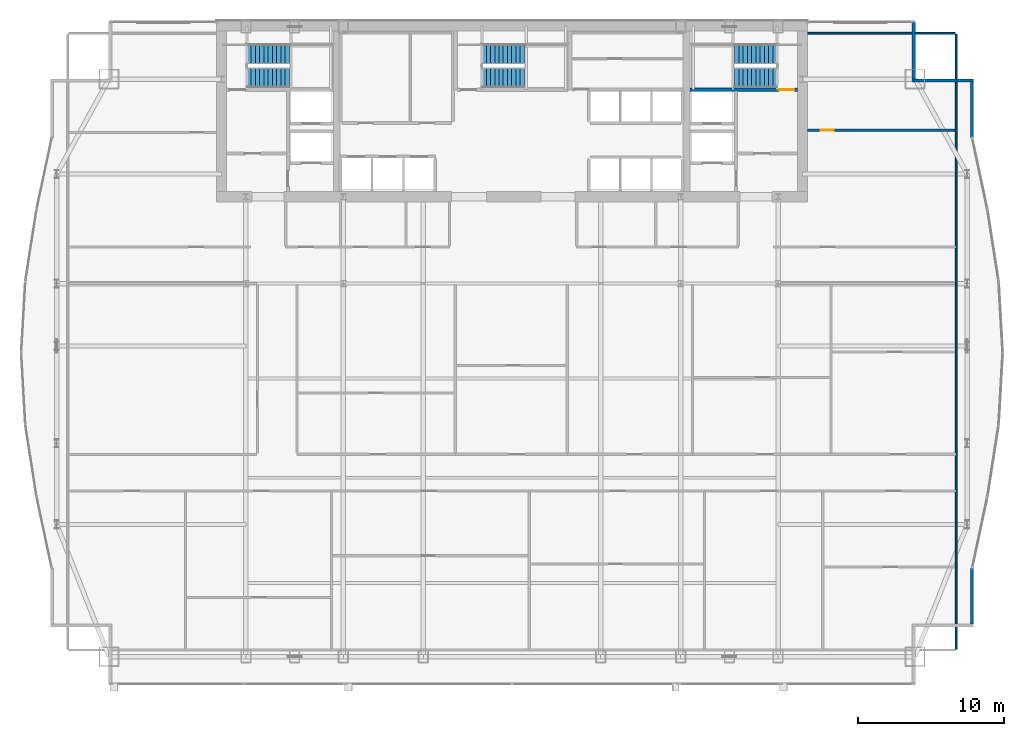
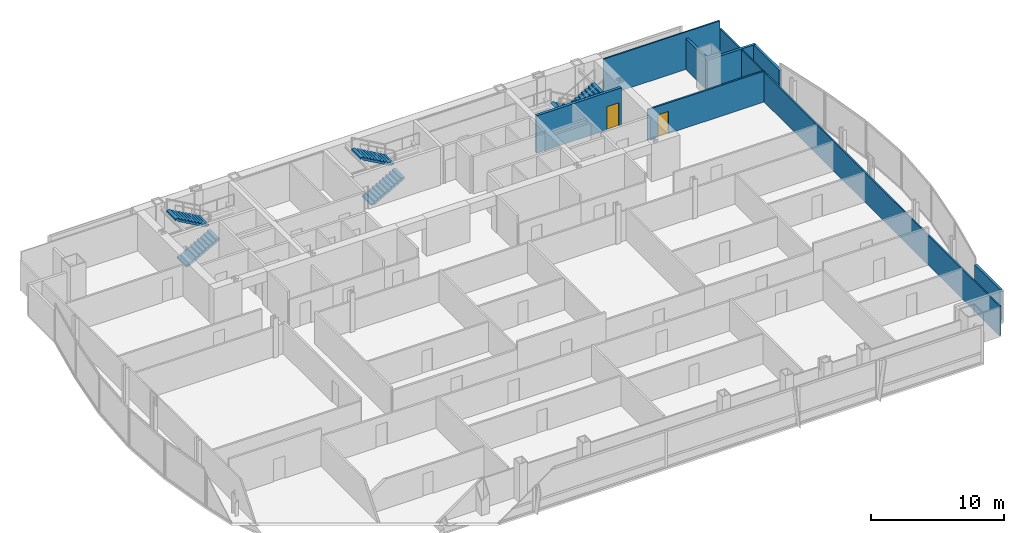
# One storey, part 27 of 29: 8 walls, 6 stair flights, 2 doors, 2 openings, 3 elements without a shape of their own.
"""IFC4 building model written with IfcOpenShell, lengths in metres."""

from ifc_helpers import new_model, si_unit, direction, frame, frame_2d, origin, place, context, subcontext, project, spatial, polyline, rectangle, outline, extrude, material, layer, layer_set, type_object, element, fill, aggregate, save


model = new_model("IFC4")

# Units and contexts
model_context = context("Model", 3, precision=1e-05, world=origin(), true_north=direction((0.0, 1.0)))
body_context = subcontext(model_context, "Body", "Model", "MODEL_VIEW")
ifc_project = project(units=[si_unit("LENGTHUNIT", "METRE"), si_unit("AREAUNIT", "SQUARE_METRE"), si_unit("VOLUMEUNIT", "CUBIC_METRE"), si_unit("PLANEANGLEUNIT", "RADIAN"), si_unit("MASSUNIT", "GRAM", prefix="KILO")], contexts=[model_context])

# Site, building, storey
site_placement = place(None, origin())
site = spatial("IfcSite", under=ifc_project, at=site_placement, CompositionType="ELEMENT")
building_placement = place(site_placement, origin())
building = spatial("IfcBuilding", under=site, at=building_placement, Name="Khoronbel Lancet Exchange", CompositionType="ELEMENT")
storey_placement = place(building_placement, frame((0.0, 0.0, 165.0)))
storey = spatial("IfcBuildingStorey", under=building, at=storey_placement, Name="L41", CompositionType="ELEMENT", Elevation=165.0)

# Walls
ifc_material_1 = material(Name="Precast concrete C40/50", Category="concrete")
ifc_layer_1 = layer(ifc_material_1, 0.25, Name="Precast concrete C40/50")
ifc_layer_set_1 = layer_set([ifc_layer_1], Name="Precast concrete C40/50")
wall_type_1 = type_object("IfcWallType", Name="WL-EXT250", PredefinedType="SOLIDWALL", material=ifc_layer_set_1)
wall_1_placement = place(storey_placement, frame((63.9599609375, 53.6298828125, 0.0), z_axis=(0.0, 0.0, 1.0), x_axis=(0.0, -1.0, 0.0)))
element("IfcWall", 1, at=wall_1_placement, inside=storey, type_object=wall_type_1, Name="Level L41 notched-corner limestone pier 14", PredefinedType="SOLIDWALL", context=body_context, shape_type="SweptSolid", body=[
    extrude(rectangle(XDim=3.909912109375, YDim=0.219970703125, at=frame_2d((1.955078125, 0.0))), origin(), (0.0, 0.0, 1.0), 2.830078125),
])
wall_2_placement = place(storey_placement, frame((63.85009765625, 49.610107421875, 0.0), z_axis=(0.0, 0.0, 1.0), x_axis=(1.0, 0.0, 0.0)))
element("IfcWall", 2, at=wall_2_placement, inside=storey, type_object=wall_type_1, Name="Level L41 notched-corner limestone pier 15", PredefinedType="SOLIDWALL", context=body_context, shape_type="SweptSolid", body=[
    extrude(rectangle(XDim=4.219970703125, YDim=0.219970703125, at=frame_2d((2.10986328125, 0.0))), origin(), (0.0, 0.0, 1.0), 2.830078125),
])
for number, where, z_axis, x_axis, name in (
    (3, (67.9599609375, 49.5, 0.0), (0.0, 0.0, 1.0), (0.0, -1.0, 0.0), "Level L41 notched-corner limestone pier 16"),
    (4, (67.9599609375, 16.2294921875, 0.0), (0.0, 0.0, 1.0), (0.0, -1.0, 0.0), "Level L41 notched-corner limestone pier 23"),
):
    element("IfcWall", number, at=place(storey_placement, frame(where, z_axis=z_axis, x_axis=x_axis)), inside=storey, type_object=wall_type_1, Name=name, PredefinedType="SOLIDWALL", context=body_context, shape_type="SweptSolid", body=[
        extrude(rectangle(XDim=3.82958984375, YDim=0.219970703125, at=frame_2d((1.914794921875, 0.0))), origin(), (0.0, 0.0, 1.0), 2.830078125),
    ])

# Wall, opening, door
ifc_material_2 = material(Name="Acoustic Metal-Stud & Mineral-Wool Gypsum Partition 120 mm", Category="gypsum")
ifc_layer_2 = layer(ifc_material_2, 0.1201171875, Name="Acoustic Metal-Stud & Mineral-Wool Gypsum Partition 120 mm")
ifc_layer_set_2 = layer_set([ifc_layer_2], Name="Acoustic Metal-Stud & Mineral-Wool Gypsum Partition 120 mm")
wall_type_2 = type_object("IfcWallType", Name="WL-PRT120", PredefinedType="PARTITIONING", material=ifc_layer_set_2)
wall_3_placement = place(storey_placement, frame((56.699951171875, 46.199951171875, 0.0), z_axis=(0.0, 0.0, 1.0), x_axis=(1.0, 0.0, 0.0)))
wall_3 = element("IfcWall", 5, at=wall_3_placement, inside=storey, type_object=wall_type_2, Name="Level L41 interior partition PW-NE-H", PredefinedType="PARTITIONING", context=body_context, shape_type="SweptSolid", body=[
    extrude(rectangle(XDim=10.10498046875, YDim=0.14990234375, at=frame_2d((5.052490234375, 0.0))), origin(), (0.0, 0.0, 1.0), 2.830078125),
])
opening_1_placement = place(wall_3_placement, frame((0.89990234375, 0.0, 0.0)))
opening_1 = element("IfcOpeningElement", 6, at=opening_1_placement, cuts=wall_3, Name="Opening D5", PredefinedType="OPENING", context=body_context, shape_type="SweptSolid", body=[
    extrude(rectangle(XDim=0.89990234375, YDim=2.050048828125, at=frame_2d((0.449951171875, 1.02490234375))), frame((0.0, 0.0849609375, 0.0), z_axis=(0.0, -1.0, 0.0), x_axis=(1.0, 0.0, 0.0)), (0.0, 0.0, 1.0), 0.169921875),
])
ifc_material_3 = material(Name="Acoustic Timber Pantry & Support Door", Category="wood")
door_type_1 = type_object("IfcDoorType", Name="DR-D5", OperationType="NOTDEFINED", PredefinedType="DOOR", material=ifc_material_3)
door_1_placement = place(opening_1_placement, origin())
door_1 = element("IfcDoor", 7, at=door_1_placement, inside=storey, type_object=door_type_1, Name="NE north room door L41-1", OperationType="SINGLE_SWING_LEFT", OverallHeight=2.050048828125, OverallWidth=0.89990234375, PredefinedType="DOOR", context=body_context, shape_type="SweptSolid", body=[
    extrude(rectangle(XDim=0.89990234375, YDim=2.050048828125, at=frame_2d((0.449951171875, 1.02490234375))), frame((0.0, 0.02490234375, 0.0), z_axis=(0.0, -1.0, 0.0), x_axis=(1.0, 0.0, 0.0)), (0.0, 0.0, 1.0), 0.050048828125),
])
fill(opening_1, door_1)

# Walls
wall_4_placement = place(storey_placement, frame((66.8701171875, 10.6650390625, 0.0), z_axis=(0.0, 0.0, 1.0), x_axis=(0.0, 1.0, 0.0)))
element("IfcWall", 8, at=wall_4_placement, inside=storey, type_object=wall_type_2, Name="Level L41 interior partition PW-LIN-E", PredefinedType="PARTITIONING", context=body_context, shape_type="SweptSolid", body=[
    extrude(rectangle(XDim=42.10986328125, YDim=0.1201171875, at=frame_2d((21.054931640625, 0.0))), origin(), (0.0, 0.0, 1.0), 2.72998046875),
])
wall_5_placement = place(storey_placement, frame((56.699951171875, 52.840087890625, 0.0), z_axis=(0.0, 0.0, 1.0), x_axis=(1.0, 0.0, 0.0)))
element("IfcWall", 9, at=wall_5_placement, inside=storey, type_object=wall_type_2, Name="Level L41 interior partition PW-LIN-NE", PredefinedType="PARTITIONING", context=body_context, shape_type="SweptSolid", body=[
    extrude(rectangle(XDim=10.10498046875, YDim=0.1201171875, at=frame_2d((5.052490234375, 0.0))), origin(), (0.0, 0.0, 1.0), 3.43994140625),
])

# Wall, opening, door
ifc_material_4 = material(Name="Concrete C60/75", Category="concrete")
ifc_layer_3 = layer(ifc_material_4, 0.260009765625, Name="Concrete C60/75")
ifc_layer_set_3 = layer_set([ifc_layer_3], Name="Concrete C60/75")
wall_type_3 = type_object("IfcWallType", Name="WL-SW3", PredefinedType="SHEAR", material=ifc_layer_set_3)
wall_6_placement = place(storey_placement, frame((48.6298828125, 48.97998046875, 0.0), z_axis=(0.0, 0.0, 1.0), x_axis=(1.0, 0.0, 0.0)))
wall_6 = element("IfcWall", 10, at=wall_6_placement, inside=storey, type_object=wall_type_3, Name="Level L41 east stairwell structural south wall", PredefinedType="SHEAR", context=body_context, shape_type="SweptSolid", body=[
    extrude(rectangle(XDim=7.3701171875, YDim=0.239990234375, at=frame_2d((3.68505859375, 0.0))), origin(), (0.0, 0.0, 1.0), 3.43994140625),
])
opening_2_placement = place(wall_6_placement, frame((6.10009765625, 0.0, 0.0)))
opening_2 = element("IfcOpeningElement", 11, at=opening_2_placement, cuts=wall_6, Name="Opening SD1", PredefinedType="OPENING", context=body_context, shape_type="SweptSolid", body=[
    extrude(rectangle(XDim=1.050048828125, YDim=2.14990234375, at=frame_2d((0.52490234375, 1.074951171875))), frame((0.0, 0.1298828125, 0.0), z_axis=(0.0, -1.0, 0.0), x_axis=(1.0, 0.0, 0.0)), (0.0, 0.0, 1.0), 0.260009765625),
])
ifc_material_5 = material(Name="Fire-Rated Steel Stairwell Door Assembly", Category="steel")
door_type_2 = type_object("IfcDoorType", Name="DR-SD1", OperationType="NOTDEFINED", PredefinedType="DOOR", material=ifc_material_5)
door_2_placement = place(opening_2_placement, origin())
door_2 = element("IfcDoor", 12, at=door_2_placement, inside=storey, type_object=door_type_2, Name="Protected exit stair ST2 door L41", OperationType="SINGLE_SWING_RIGHT", OverallHeight=2.14990234375, OverallWidth=1.050048828125, PredefinedType="DOOR", context=body_context, shape_type="SweptSolid", body=[
    extrude(rectangle(XDim=1.050048828125, YDim=2.14990234375, at=frame_2d((0.52490234375, 1.074951171875))), frame((0.0, 0.02490234375, 0.0), z_axis=(0.0, -1.0, 0.0), x_axis=(1.0, 0.0, 0.0)), (0.0, 0.0, 1.0), 0.050048828125),
])
fill(opening_2, door_2)

# Stair, stair flights
ifc_material_6 = material(Name="Concrete C40/50", Category="concrete")
stair_type = type_object("IfcStairType", Name="STR-CORE150", PredefinedType="HALF_TURN_STAIR", material=ifc_material_6)
stair_1_placement = place(storey_placement, origin())
stair_1 = element("IfcStair", 13, at=stair_1_placement, inside=storey, type_object=stair_type, Name="L41 Protected Exit Stair ST1", PredefinedType="HALF_TURN_STAIR")
stair_flight_type = type_object("IfcStairFlightType", Name="STF-150", PredefinedType="STRAIGHT", material=ifc_material_6)
stair_flight_1_placement = place(storey_placement, frame((18.300048828125, 49.81005859375, 0.0), z_axis=(0.0, 0.0, 1.0), x_axis=(1.0, 0.0, 0.0)))
stair_flight_1 = element("IfcStairFlight", 14, at=stair_flight_1_placement, type_object=stair_flight_type, Name="ST1 flight 1", NumberOfRisers=11, NumberOfTreads=10, PredefinedType="STRAIGHT", RiserHeight=0.163636364, TreadLength=0.29, context=body_context, shape_type="SweptSolid", body=[
    extrude(outline(polyline([(0.0, 0.0), (0.0, 0.16357421875), (0.2900390625, 0.16357421875), (0.2900390625, 0.327392578125), (0.580078125, 0.327392578125), (0.580078125, 0.490966796875), (0.8701171875, 0.490966796875), (0.8701171875, 0.654541015625), (1.159912109375, 0.654541015625), (1.159912109375, 0.818115234375), (1.449951171875, 0.818115234375), (1.449951171875, 0.98193359375), (1.739990234375, 0.98193359375), (1.739990234375, 1.1455078125), (2.030029296875, 1.1455078125), (2.030029296875, 1.30908203125), (2.320068359375, 1.30908203125), (2.320068359375, 1.47265625), (2.610107421875, 1.47265625), (2.610107421875, 1.636474609375), (2.89990234375, 1.636474609375), (2.89990234375, 1.800048828125), (2.89990234375, 1.46435546875), (0.304931640625, 0.0), (0.0, 0.0)])), frame((0.0, 0.68994140625, 0.0), z_axis=(0.0, -1.0, 0.0), x_axis=(1.0, 0.0, 0.0)), (0.0, 0.0, 1.0), 1.3798828125),
])
stair_flight_2_placement = place(storey_placement, frame((21.199951171875, 51.409912109375, 1.800048828125), z_axis=(0.0, 0.0, 1.0), x_axis=(-1.0, 0.0, 0.0)))
stair_flight_2 = element("IfcStairFlight", 15, at=stair_flight_2_placement, type_object=stair_flight_type, Name="ST1 flight 2", NumberOfRisers=11, NumberOfTreads=10, PredefinedType="STRAIGHT", RiserHeight=0.163636364, TreadLength=0.29, context=body_context, shape_type="SweptSolid", body=[
    extrude(outline(polyline([(0.0, 0.0), (0.0, 0.16357421875), (0.2900390625, 0.16357421875), (0.2900390625, 0.327392578125), (0.580078125, 0.327392578125), (0.580078125, 0.490966796875), (0.8701171875, 0.490966796875), (0.8701171875, 0.654541015625), (1.159912109375, 0.654541015625), (1.159912109375, 0.818115234375), (1.449951171875, 0.818115234375), (1.449951171875, 0.98193359375), (1.739990234375, 0.98193359375), (1.739990234375, 1.1455078125), (2.030029296875, 1.1455078125), (2.030029296875, 1.30908203125), (2.320068359375, 1.30908203125), (2.320068359375, 1.47265625), (2.610107421875, 1.47265625), (2.610107421875, 1.636474609375), (2.89990234375, 1.636474609375), (2.89990234375, 1.800048828125), (2.89990234375, 1.46435546875), (0.304931640625, 0.0), (0.0, 0.0)])), frame((0.0, 0.68994140625, 0.0), z_axis=(0.0, -1.0, 0.0), x_axis=(1.0, 0.0, 0.0)), (0.0, 0.0, 1.0), 1.3798828125),
])
aggregate(stair_1, [stair_flight_1, stair_flight_2])

stair_2_placement = place(storey_placement, origin())
stair_2 = element("IfcStair", 16, at=stair_2_placement, inside=storey, type_object=stair_type, Name="L41 Protected Exit Stair ST2", PredefinedType="HALF_TURN_STAIR")
stair_flight_3_placement = place(storey_placement, frame((54.60009765625, 51.409912109375, 0.0), z_axis=(0.0, 0.0, 1.0), x_axis=(-1.0, 0.0, 0.0)))
stair_flight_3 = element("IfcStairFlight", 17, at=stair_flight_3_placement, type_object=stair_flight_type, Name="ST2 flight 1", NumberOfRisers=11, NumberOfTreads=10, PredefinedType="STRAIGHT", RiserHeight=0.163636364, TreadLength=0.29, context=body_context, shape_type="SweptSolid", body=[
    extrude(outline(polyline([(0.0, 0.0), (0.0, 0.16357421875), (0.2900390625, 0.16357421875), (0.2900390625, 0.327392578125), (0.580078125, 0.327392578125), (0.580078125, 0.490966796875), (0.8701171875, 0.490966796875), (0.8701171875, 0.654541015625), (1.159912109375, 0.654541015625), (1.159912109375, 0.818115234375), (1.449951171875, 0.818115234375), (1.449951171875, 0.98193359375), (1.739990234375, 0.98193359375), (1.739990234375, 1.1455078125), (2.030029296875, 1.1455078125), (2.030029296875, 1.30908203125), (2.320068359375, 1.30908203125), (2.320068359375, 1.47265625), (2.610107421875, 1.47265625), (2.610107421875, 1.636474609375), (2.89990234375, 1.636474609375), (2.89990234375, 1.800048828125), (2.89990234375, 1.46435546875), (0.304931640625, 0.0), (0.0, 0.0)])), frame((0.0, 0.68994140625, 0.0), z_axis=(0.0, -1.0, 0.0), x_axis=(1.0, 0.0, 0.0)), (0.0, 0.0, 1.0), 1.3798828125),
])
stair_flight_4_placement = place(storey_placement, frame((51.699951171875, 49.81005859375, 1.800048828125), z_axis=(0.0, 0.0, 1.0), x_axis=(1.0, 0.0, 0.0)))
stair_flight_4 = element("IfcStairFlight", 18, at=stair_flight_4_placement, type_object=stair_flight_type, Name="ST2 flight 2", NumberOfRisers=11, NumberOfTreads=10, PredefinedType="STRAIGHT", RiserHeight=0.163636364, TreadLength=0.29, context=body_context, shape_type="SweptSolid", body=[
    extrude(outline(polyline([(0.0, 0.0), (0.0, 0.16357421875), (0.2900390625, 0.16357421875), (0.2900390625, 0.327392578125), (0.580078125, 0.327392578125), (0.580078125, 0.490966796875), (0.8701171875, 0.490966796875), (0.8701171875, 0.654541015625), (1.159912109375, 0.654541015625), (1.159912109375, 0.818115234375), (1.449951171875, 0.818115234375), (1.449951171875, 0.98193359375), (1.739990234375, 0.98193359375), (1.739990234375, 1.1455078125), (2.030029296875, 1.1455078125), (2.030029296875, 1.30908203125), (2.320068359375, 1.30908203125), (2.320068359375, 1.47265625), (2.610107421875, 1.47265625), (2.610107421875, 1.636474609375), (2.89990234375, 1.636474609375), (2.89990234375, 1.800048828125), (2.89990234375, 1.46435546875), (0.304931640625, 0.0), (0.0, 0.0)])), frame((0.0, 0.68994140625, 0.0), z_axis=(0.0, -1.0, 0.0), x_axis=(1.0, 0.0, 0.0)), (0.0, 0.0, 1.0), 1.3798828125),
])
aggregate(stair_2, [stair_flight_3, stair_flight_4])

stair_3_placement = place(storey_placement, origin())
stair_3 = element("IfcStair", 19, at=stair_3_placement, inside=storey, type_object=stair_type, Name="L41 Protected Exit Stair ST3", PredefinedType="HALF_TURN_STAIR")
stair_flight_5_placement = place(storey_placement, frame((34.39990234375, 49.81005859375, 0.0), z_axis=(0.0, 0.0, 1.0), x_axis=(1.0, 0.0, 0.0)))
stair_flight_5 = element("IfcStairFlight", 20, at=stair_flight_5_placement, type_object=stair_flight_type, Name="ST3 flight 1", NumberOfRisers=11, NumberOfTreads=10, PredefinedType="STRAIGHT", RiserHeight=0.163636364, TreadLength=0.29, context=body_context, shape_type="SweptSolid", body=[
    extrude(outline(polyline([(0.0, 0.0), (0.0, 0.16357421875), (0.2900390625, 0.16357421875), (0.2900390625, 0.327392578125), (0.580078125, 0.327392578125), (0.580078125, 0.490966796875), (0.8701171875, 0.490966796875), (0.8701171875, 0.654541015625), (1.159912109375, 0.654541015625), (1.159912109375, 0.818115234375), (1.449951171875, 0.818115234375), (1.449951171875, 0.98193359375), (1.739990234375, 0.98193359375), (1.739990234375, 1.1455078125), (2.030029296875, 1.1455078125), (2.030029296875, 1.30908203125), (2.320068359375, 1.30908203125), (2.320068359375, 1.47265625), (2.610107421875, 1.47265625), (2.610107421875, 1.636474609375), (2.89990234375, 1.636474609375), (2.89990234375, 1.800048828125), (2.89990234375, 1.46435546875), (0.304931640625, 0.0), (0.0, 0.0)])), frame((0.0, 0.68994140625, 0.0), z_axis=(0.0, -1.0, 0.0), x_axis=(1.0, 0.0, 0.0)), (0.0, 0.0, 1.0), 1.3798828125),
])
stair_flight_6_placement = place(storey_placement, frame((37.300048828125, 51.409912109375, 1.800048828125), z_axis=(0.0, 0.0, 1.0), x_axis=(-1.0, 0.0, 0.0)))
stair_flight_6 = element("IfcStairFlight", 21, at=stair_flight_6_placement, type_object=stair_flight_type, Name="ST3 flight 2", NumberOfRisers=11, NumberOfTreads=10, PredefinedType="STRAIGHT", RiserHeight=0.163636364, TreadLength=0.29, context=body_context, shape_type="SweptSolid", body=[
    extrude(outline(polyline([(0.0, 0.0), (0.0, 0.16357421875), (0.2900390625, 0.16357421875), (0.2900390625, 0.327392578125), (0.580078125, 0.327392578125), (0.580078125, 0.490966796875), (0.8701171875, 0.490966796875), (0.8701171875, 0.654541015625), (1.159912109375, 0.654541015625), (1.159912109375, 0.818115234375), (1.449951171875, 0.818115234375), (1.449951171875, 0.98193359375), (1.739990234375, 0.98193359375), (1.739990234375, 1.1455078125), (2.030029296875, 1.1455078125), (2.030029296875, 1.30908203125), (2.320068359375, 1.30908203125), (2.320068359375, 1.47265625), (2.610107421875, 1.47265625), (2.610107421875, 1.636474609375), (2.89990234375, 1.636474609375), (2.89990234375, 1.800048828125), (2.89990234375, 1.46435546875), (0.304931640625, 0.0), (0.0, 0.0)])), frame((0.0, 0.68994140625, 0.0), z_axis=(0.0, -1.0, 0.0), x_axis=(1.0, 0.0, 0.0)), (0.0, 0.0, 1.0), 1.3798828125),
])
aggregate(stair_3, [stair_flight_5, stair_flight_6])

save(model, "model.ifc")
